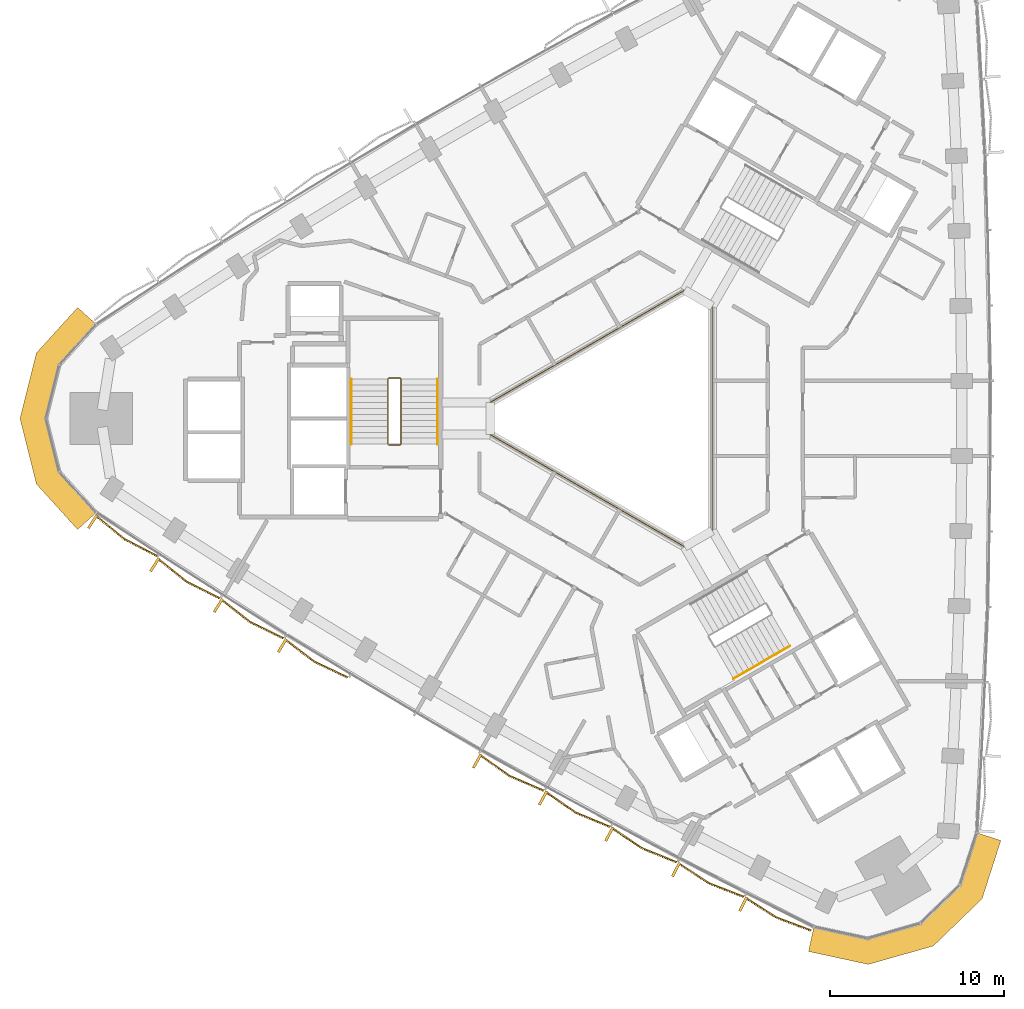
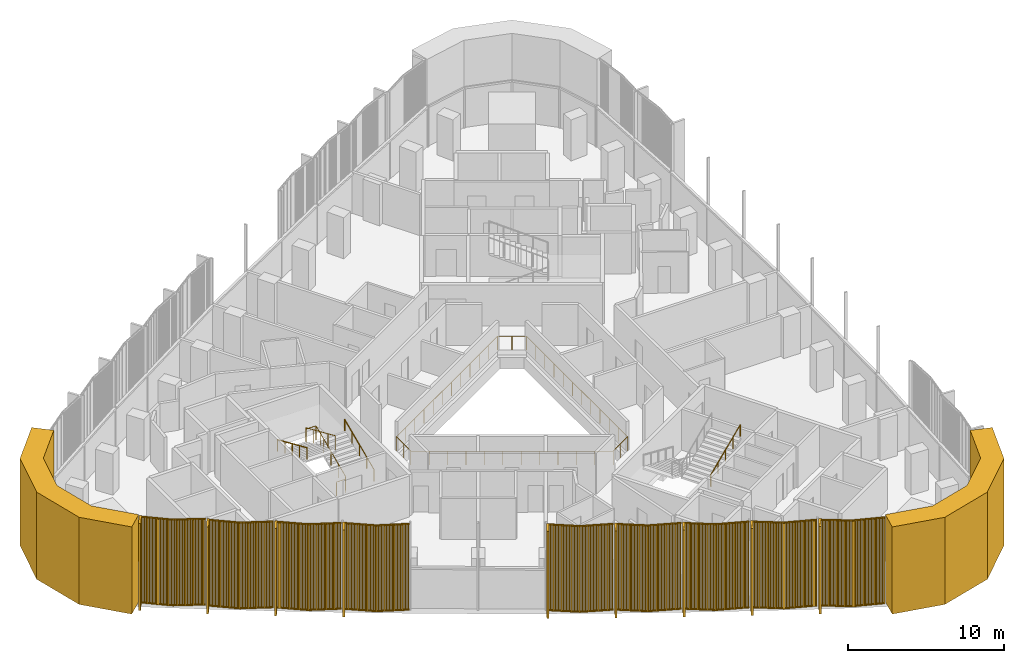
# One storey, part 13 of 15: 11 coverings, 5 railings.
"""IFC4 building model written with IfcOpenShell, lengths in metres."""

from ifc_helpers import new_model, si_unit, direction, frame, frame_2d, origin, origin_2d, place, context, subcontext, project, spatial, polyline, rectangle, circle, outline, extrude, source, transform, mapped, material, layer, layer_set, type_object, element, save


model = new_model("IFC4")

# Units and contexts
model_context = context("Model", 3, precision=1e-05, world=origin(), true_north=direction((0.0, 1.0)))
body_context = subcontext(model_context, "Body", "Model", "MODEL_VIEW")
ifc_project = project(units=[si_unit("LENGTHUNIT", "METRE"), si_unit("AREAUNIT", "SQUARE_METRE"), si_unit("VOLUMEUNIT", "CUBIC_METRE"), si_unit("PLANEANGLEUNIT", "RADIAN"), si_unit("MASSUNIT", "GRAM", prefix="KILO")], contexts=[model_context])

# Site, building, storey
site_placement = place(None, origin())
site = spatial("IfcSite", under=ifc_project, at=site_placement, CompositionType="ELEMENT")
building_placement = place(site_placement, origin())
building = spatial("IfcBuilding", under=site, at=building_placement, Name="Tamra Quay Hotel Tower", CompositionType="ELEMENT")
storey_placement = place(building_placement, frame((0.0, 0.0, 157.60009765625)))
storey = spatial("IfcBuildingStorey", under=building, at=storey_placement, Name="L39", CompositionType="ELEMENT", Elevation=157.60009765625)

# Coverings
ifc_material_1 = material(Name="Precast concrete M60 terracotta-coloured", Category="masonry")
ifc_layer = layer(ifc_material_1, 1.449951171875)
ifc_layer_set = layer_set([ifc_layer], Name="CORNER PIER PANEL")
covering_type_1 = type_object("IfcCoveringType", Name="CORNER PIER PANEL", PredefinedType="CLADDING", material=ifc_layer_set)
covering_1_placement = place(storey_placement, origin())
element("IfcCovering", 1, at=covering_1_placement, inside=storey, type_object=covering_type_1, Name="Corner pier L39.north-west", PredefinedType="CLADDING", context=body_context, shape_type="SweptSolid", body=[
    extrude(outline(polyline([(-30.688720703125, 5.42431640625), (-31.76318359375, 6.398193359375), (-34.13623046875, 3.780029296875), (-35.0830078125, 0.0), (-34.13623046875, -3.780029296875), (-31.76318359375, -6.398193359375), (-30.688720703125, -5.42431640625), (-32.81787109375, -3.0751953125), (-33.588134765625, 0.0), (-32.81787109375, 3.0751953125), (-30.688720703125, 5.42431640625)])), origin(), (0.0, 0.0, 1.0), 6.7998046875),
])
covering_2_placement = place(storey_placement, origin())
element("IfcCovering", 2, at=covering_2_placement, inside=storey, type_object=covering_type_1, Name="Corner pier L39.south-west", PredefinedType="CLADDING", context=body_context, shape_type="SweptSolid", body=[
    extrude(outline(polyline([(10.646728515625, -29.28955078125), (10.340576171875, -30.706787109375), (13.79443359375, -31.452880859375), (17.54150390625, -30.3828125), (20.341552734375, -27.6728515625), (21.422607421875, -24.30859375), (20.0419921875, -23.864990234375), (19.072265625, -26.883544921875), (16.794189453125, -29.088134765625), (13.74560546875, -29.958740234375), (10.646728515625, -29.28955078125)])), origin(), (0.0, 0.0, 1.0), 6.7998046875),
])

# Railings
ifc_material_2 = material(Name="Guard atrium edge 1100")
railing_type_1 = type_object("IfcRailingType", Name="Guard atrium edge 1100", PredefinedType="GUARDRAIL", material=ifc_material_2)
railing_1_placement = place(storey_placement, frame((4.800048828125, -6.466064453125, 0.0)))
element("IfcRailing", 3, at=railing_1_placement, inside=storey, type_object=railing_type_1, Name="G-A", PredefinedType="GUARDRAIL", context=body_context, shape_type="SweptSolid", body=[
    extrude(circle(Radius=0.02392578125, at=origin_2d()), frame((0.0, 0.0, 1.076171875), z_axis=(-0.86602275259, -0.500004591975, 0.0), x_axis=(0.500004591975, -0.86602275259, 0.0)), (0.0, 0.0, 1.0), 1.84765625),
    extrude(circle(Radius=0.02392578125, at=origin_2d()), frame((-1.60009765625, -0.923828125, 1.076171875), z_axis=(-0.86604129137, 0.499972480886, 0.0), x_axis=(-0.499972480886, -0.86604129137, 0.0)), (0.0, 0.0, 1.0), 12.932373046875),
    extrude(circle(Radius=0.02392578125, at=origin_2d()), frame((-12.800048828125, 5.5419921875, 1.076171875), z_axis=(0.0, 1.0, 0.0), x_axis=(-1.0, 0.0, 0.0)), (0.0, 0.0, 1.0), 1.84814453125),
    extrude(circle(Radius=0.02392578125, at=origin_2d()), frame((-12.800048828125, 7.39013671875, 1.076171875), z_axis=(0.86604129137, 0.499972480886, 0.0), x_axis=(-0.499972480886, 0.86604129137, 0.0)), (0.0, 0.0, 1.0), 12.932373046875),
    extrude(circle(Radius=0.02392578125, at=origin_2d()), frame((-1.60009765625, 13.85595703125, 1.076171875), z_axis=(0.86602275259, -0.500004591975, 0.0), x_axis=(0.500004591975, 0.86602275259, 0.0)), (0.0, 0.0, 1.0), 1.84765625),
    extrude(circle(Radius=0.02392578125, at=origin_2d()), frame((0.0, 12.93212890625, 1.076171875), z_axis=(0.0, -1.0, 0.0), x_axis=(1.0, 0.0, 0.0)), (0.0, 0.0, 1.0), 12.93212890625),
    extrude(circle(Radius=0.02099609375, at=origin_2d()), origin(), (0.0, 0.0, 1.0), 1.052001953125),
    extrude(circle(Radius=0.02099609375, at=origin_2d()), frame((-0.800048828125, -0.4619140625, 0.0)), (0.0, 0.0, 1.0), 1.052001953125),
    extrude(circle(Radius=0.02099609375, at=origin_2d()), frame((-1.60009765625, -0.923828125, 0.0)), (0.0, 0.0, 1.0), 1.052001953125),
    extrude(circle(Radius=0.02099609375, at=origin_2d()), frame((-2.6181640625, -0.3359375, 0.0)), (0.0, 0.0, 1.0), 1.052001953125),
    extrude(circle(Radius=0.02099609375, at=origin_2d()), frame((-3.636474609375, 0.251708984375, 0.0)), (0.0, 0.0, 1.0), 1.052001953125),
    extrude(circle(Radius=0.02099609375, at=origin_2d()), frame((-4.654541015625, 0.839599609375, 0.0)), (0.0, 0.0, 1.0), 1.052001953125),
    extrude(circle(Radius=0.02099609375, at=origin_2d()), frame((-5.6728515625, 1.427490234375, 0.0)), (0.0, 0.0, 1.0), 1.052001953125),
    extrude(circle(Radius=0.02099609375, at=origin_2d()), frame((-6.69091796875, 2.01513671875, 0.0)), (0.0, 0.0, 1.0), 1.052001953125),
    extrude(circle(Radius=0.02099609375, at=origin_2d()), frame((-7.709228515625, 2.60302734375, 0.0)), (0.0, 0.0, 1.0), 1.052001953125),
    extrude(circle(Radius=0.02099609375, at=origin_2d()), frame((-8.727294921875, 3.190673828125, 0.0)), (0.0, 0.0, 1.0), 1.052001953125),
    extrude(circle(Radius=0.02099609375, at=origin_2d()), frame((-9.74560546875, 3.778564453125, 0.0)), (0.0, 0.0, 1.0), 1.052001953125),
    extrude(circle(Radius=0.02099609375, at=origin_2d()), frame((-10.763671875, 4.366455078125, 0.0)), (0.0, 0.0, 1.0), 1.052001953125),
    extrude(circle(Radius=0.02099609375, at=origin_2d()), frame((-11.781982421875, 4.9541015625, 0.0)), (0.0, 0.0, 1.0), 1.052001953125),
    extrude(circle(Radius=0.02099609375, at=origin_2d()), frame((-12.800048828125, 5.5419921875, 0.0)), (0.0, 0.0, 1.0), 1.052001953125),
    extrude(circle(Radius=0.02099609375, at=origin_2d()), frame((-12.800048828125, 6.466064453125, 0.0)), (0.0, 0.0, 1.0), 1.052001953125),
    extrude(circle(Radius=0.02099609375, at=origin_2d()), frame((-12.800048828125, 7.39013671875, 0.0)), (0.0, 0.0, 1.0), 1.052001953125),
    extrude(circle(Radius=0.02099609375, at=origin_2d()), frame((-11.781982421875, 7.97802734375, 0.0)), (0.0, 0.0, 1.0), 1.052001953125),
    extrude(circle(Radius=0.02099609375, at=origin_2d()), frame((-10.763671875, 8.565673828125, 0.0)), (0.0, 0.0, 1.0), 1.052001953125),
    extrude(circle(Radius=0.02099609375, at=origin_2d()), frame((-9.74560546875, 9.153564453125, 0.0)), (0.0, 0.0, 1.0), 1.052001953125),
    extrude(circle(Radius=0.02099609375, at=origin_2d()), frame((-8.727294921875, 9.741455078125, 0.0)), (0.0, 0.0, 1.0), 1.052001953125),
    extrude(circle(Radius=0.02099609375, at=origin_2d()), frame((-7.709228515625, 10.3291015625, 0.0)), (0.0, 0.0, 1.0), 1.052001953125),
    extrude(circle(Radius=0.02099609375, at=origin_2d()), frame((-6.69091796875, 10.9169921875, 0.0)), (0.0, 0.0, 1.0), 1.052001953125),
    extrude(circle(Radius=0.02099609375, at=origin_2d()), frame((-5.6728515625, 11.504638671875, 0.0)), (0.0, 0.0, 1.0), 1.052001953125),
    extrude(circle(Radius=0.02099609375, at=origin_2d()), frame((-4.654541015625, 12.092529296875, 0.0)), (0.0, 0.0, 1.0), 1.052001953125),
    extrude(circle(Radius=0.02099609375, at=origin_2d()), frame((-3.636474609375, 12.680419921875, 0.0)), (0.0, 0.0, 1.0), 1.052001953125),
    extrude(circle(Radius=0.02099609375, at=origin_2d()), frame((-2.6181640625, 13.26806640625, 0.0)), (0.0, 0.0, 1.0), 1.052001953125),
    extrude(circle(Radius=0.02099609375, at=origin_2d()), frame((-1.60009765625, 13.85595703125, 0.0)), (0.0, 0.0, 1.0), 1.052001953125),
    extrude(circle(Radius=0.02099609375, at=origin_2d()), frame((-0.800048828125, 13.39404296875, 0.0)), (0.0, 0.0, 1.0), 1.052001953125),
    extrude(circle(Radius=0.02099609375, at=origin_2d()), frame((0.0, 12.93212890625, 0.0)), (0.0, 0.0, 1.0), 1.052001953125),
    extrude(circle(Radius=0.02099609375, at=origin_2d()), frame((0.0, 11.756591796875, 0.0)), (0.0, 0.0, 1.0), 1.052001953125),
    extrude(circle(Radius=0.02099609375, at=origin_2d()), frame((0.0, 10.580810546875, 0.0)), (0.0, 0.0, 1.0), 1.052001953125),
    extrude(circle(Radius=0.02099609375, at=origin_2d()), frame((0.0, 9.4052734375, 0.0)), (0.0, 0.0, 1.0), 1.052001953125),
    extrude(circle(Radius=0.02099609375, at=origin_2d()), frame((0.0, 8.2294921875, 0.0)), (0.0, 0.0, 1.0), 1.052001953125),
    extrude(circle(Radius=0.02099609375, at=origin_2d()), frame((0.0, 7.053955078125, 0.0)), (0.0, 0.0, 1.0), 1.052001953125),
    extrude(circle(Radius=0.02099609375, at=origin_2d()), frame((0.0, 5.878173828125, 0.0)), (0.0, 0.0, 1.0), 1.052001953125),
    extrude(circle(Radius=0.02099609375, at=origin_2d()), frame((0.0, 4.70263671875, 0.0)), (0.0, 0.0, 1.0), 1.052001953125),
    extrude(circle(Radius=0.02099609375, at=origin_2d()), frame((0.0, 3.52685546875, 0.0)), (0.0, 0.0, 1.0), 1.052001953125),
    extrude(circle(Radius=0.02099609375, at=origin_2d()), frame((0.0, 2.351318359375, 0.0)), (0.0, 0.0, 1.0), 1.052001953125),
    extrude(circle(Radius=0.02099609375, at=origin_2d()), frame((0.0, 1.175537109375, 0.0)), (0.0, 0.0, 1.0), 1.052001953125),
])
ifc_material_3 = material(Name="Stair guard 1100")
railing_type_2 = type_object("IfcRailingType", Name="Stair guard 1100", PredefinedType="GUARDRAIL", material=ifc_material_3)
railing_2_placement = place(storey_placement, frame((-13.84130859375, -1.530029296875, 0.0)))
element("IfcRailing", 4, at=railing_2_placement, inside=storey, type_object=railing_type_2, Name="GR", PredefinedType="GUARDRAIL", context=body_context, shape_type="SweptSolid", body=[
    extrude(circle(Radius=0.02392578125, at=origin_2d()), frame((0.0, 0.0, 1.076171875), z_axis=(1.0, 0.0, 0.0), x_axis=(0.0, 1.0, 0.0)), (0.0, 0.0, 1.0), 0.658935546875),
    extrude(circle(Radius=0.02392578125, at=origin_2d()), frame((0.658935546875, 0.0, 1.076171875), z_axis=(0.301912943143, 0.301912943143, 0.904266083366), x_axis=(-0.707106781187, 0.707106781187, 0.0)), (0.0, 0.0, 1.0), 0.165771484375),
    extrude(circle(Radius=0.02392578125, at=origin_2d()), frame((0.708984375, 0.050048828125, 1.22607421875), z_axis=(0.0, 0.915795495799, 0.401644880304), x_axis=(-1.0, 0.0, 0.0)), (0.0, 0.0, 1.0), 4.10791015625),
    extrude(circle(Radius=0.02392578125, at=origin_2d()), frame((0.708984375, 3.81201171875, 2.8759765625), z_axis=(-0.708833529934, 0.705375805398, 0.0), x_axis=(-0.705375805398, -0.708833529934, 0.0)), (0.0, 0.0, 1.0), 0.070556640625),
    extrude(circle(Radius=0.02392578125, at=origin_2d()), frame((0.658935546875, 3.86181640625, 2.8759765625), z_axis=(-1.0, 0.0, 0.0), x_axis=(0.0, -1.0, 0.0)), (0.0, 0.0, 1.0), 0.658935546875),
    extrude(circle(Radius=0.02392578125, at=origin_2d()), frame((0.0, 3.86181640625, 2.8759765625), z_axis=(-0.301644814947, -0.300173376825, 0.904934444842), x_axis=(0.705375805398, -0.708833529934, 0.0)), (0.0, 0.0, 1.0), 0.166015625),
    extrude(circle(Radius=0.02392578125, at=origin_2d()), frame((-0.050048828125, 3.81201171875, 3.02587890625), z_axis=(0.0, -0.915795495799, 0.401644880304), x_axis=(1.0, 0.0, 0.0)), (0.0, 0.0, 1.0), 4.10791015625),
    extrude(circle(Radius=0.02099609375, at=origin_2d()), origin(), (0.0, 0.0, 1.0), 1.052001953125),
    extrude(circle(Radius=0.02099609375, at=origin_2d()), frame((0.658935546875, 0.0, 0.0)), (0.0, 0.0, 1.0), 1.052001953125),
    extrude(circle(Radius=0.02099609375, at=origin_2d()), frame((0.708984375, 0.050048828125, 0.14990234375)), (0.0, 0.0, 1.0), 1.052001953125),
    extrude(circle(Radius=0.02099609375, at=origin_2d()), frame((0.708984375, 0.990478515625, 0.5625)), (0.0, 0.0, 1.0), 1.052001953125),
    extrude(circle(Radius=0.02099609375, at=origin_2d()), frame((0.708984375, 1.93115234375, 0.974853515625)), (0.0, 0.0, 1.0), 1.052001953125),
    extrude(circle(Radius=0.02099609375, at=origin_2d()), frame((0.708984375, 2.87158203125, 1.38720703125)), (0.0, 0.0, 1.0), 1.052001953125),
    extrude(circle(Radius=0.02099609375, at=origin_2d()), frame((0.708984375, 3.81201171875, 1.7998046875)), (0.0, 0.0, 1.0), 1.052001953125),
    extrude(circle(Radius=0.02099609375, at=origin_2d()), frame((0.658935546875, 3.86181640625, 1.7998046875)), (0.0, 0.0, 1.0), 1.052001953125),
    extrude(circle(Radius=0.02099609375, at=origin_2d()), frame((0.0, 3.86181640625, 1.7998046875)), (0.0, 0.0, 1.0), 1.052001953125),
    extrude(circle(Radius=0.02099609375, at=origin_2d()), frame((-0.050048828125, 3.81201171875, 1.949951171875)), (0.0, 0.0, 1.0), 1.052001953125),
    extrude(circle(Radius=0.02099609375, at=origin_2d()), frame((-0.050048828125, 2.87158203125, 2.3623046875)), (0.0, 0.0, 1.0), 1.052001953125),
    extrude(circle(Radius=0.02099609375, at=origin_2d()), frame((-0.050048828125, 1.93115234375, 2.77490234375)), (0.0, 0.0, 1.0), 1.052001953125),
    extrude(circle(Radius=0.02099609375, at=origin_2d()), frame((-0.050048828125, 0.990478515625, 3.1875)), (0.0, 0.0, 1.0), 1.052001953125),
    extrude(circle(Radius=0.02099609375, at=origin_2d()), frame((-0.050048828125, 0.050048828125, 3.599853515625)), (0.0, 0.0, 1.0), 1.052001953125),
])
ifc_material_4 = material(Name="Stair handrail 900")
railing_type_3 = type_object("IfcRailingType", Name="Stair handrail 900", PredefinedType="HANDRAIL", material=ifc_material_4)
railing_3_placement = place(storey_placement, frame((-11.0322265625, -1.47998046875, 0.14990234375)))
element("IfcRailing", 5, at=railing_3_placement, inside=storey, type_object=railing_type_3, Name="HR", PredefinedType="HANDRAIL", context=body_context, shape_type="SweptSolid", body=[
    extrude(circle(Radius=0.02392578125, at=origin_2d()), frame((0.0, 0.0, 0.8759765625), z_axis=(0.0, 0.915795495799, 0.401644880304), x_axis=(-1.0, 0.0, 0.0)), (0.0, 0.0, 1.0), 4.10791015625),
    extrude(circle(Radius=0.02099609375, at=origin_2d()), origin(), (0.0, 0.0, 1.0), 0.851806640625),
    extrude(circle(Radius=0.02099609375, at=origin_2d()), frame((0.0, 0.9404296875, 0.41259765625)), (0.0, 0.0, 1.0), 0.851806640625),
    extrude(circle(Radius=0.02099609375, at=origin_2d()), frame((0.0, 1.880859375, 0.824951171875)), (0.0, 0.0, 1.0), 0.851806640625),
    extrude(circle(Radius=0.02099609375, at=origin_2d()), frame((0.0, 2.821533203125, 1.2373046875)), (0.0, 0.0, 1.0), 0.851806640625),
    extrude(circle(Radius=0.02099609375, at=origin_2d()), frame((0.0, 3.761962890625, 1.64990234375)), (0.0, 0.0, 1.0), 0.851806640625),
])
railing_4_placement = place(storey_placement, frame((-15.9912109375, 2.281982421875, 1.949951171875)))
element("IfcRailing", 6, at=railing_4_placement, inside=storey, type_object=railing_type_3, Name="HR", PredefinedType="HANDRAIL", context=body_context, shape_type="SweptSolid", body=[
    extrude(circle(Radius=0.02392578125, at=origin_2d()), frame((0.0, 0.0, 0.8759765625), z_axis=(0.0, -0.915795495799, 0.401644880304), x_axis=(1.0, 0.0, 0.0)), (0.0, 0.0, 1.0), 4.10791015625),
    extrude(circle(Radius=0.02099609375, at=origin_2d()), origin(), (0.0, 0.0, 1.0), 0.851806640625),
    extrude(circle(Radius=0.02099609375, at=origin_2d()), frame((0.0, -0.9404296875, 0.41259765625)), (0.0, 0.0, 1.0), 0.851806640625),
    extrude(circle(Radius=0.02099609375, at=origin_2d()), frame((0.0, -1.880859375, 0.824951171875)), (0.0, 0.0, 1.0), 0.851806640625),
    extrude(circle(Radius=0.02099609375, at=origin_2d()), frame((0.0, -2.821533203125, 1.2373046875)), (0.0, 0.0, 1.0), 0.851806640625),
    extrude(circle(Radius=0.02099609375, at=origin_2d()), frame((0.0, -3.761962890625, 1.64990234375)), (0.0, 0.0, 1.0), 0.851806640625),
])
railing_5_placement = place(storey_placement, frame((6.01953125, -14.98974609375, 1.949951171875)))
element("IfcRailing", 7, at=railing_5_placement, inside=storey, type_object=railing_type_3, Name="HR", PredefinedType="HANDRAIL", context=body_context, shape_type="SweptSolid", body=[
    extrude(circle(Radius=0.02392578125, at=origin_2d()), frame((0.0, 0.0, 0.8759765625), z_axis=(0.79310004713, 0.457886897714, 0.401661429744), x_axis=(-0.499992114976, 0.866029956157, 0.0)), (0.0, 0.0, 1.0), 4.107666015625),
    extrude(circle(Radius=0.02099609375, at=origin_2d()), origin(), (0.0, 0.0, 1.0), 0.851806640625),
    extrude(circle(Radius=0.02099609375, at=origin_2d()), frame((0.814453125, 0.47021484375, 0.41259765625)), (0.0, 0.0, 1.0), 0.851806640625),
    extrude(circle(Radius=0.02099609375, at=origin_2d()), frame((1.62890625, 0.9404296875, 0.824951171875)), (0.0, 0.0, 1.0), 0.851806640625),
    extrude(circle(Radius=0.02099609375, at=origin_2d()), frame((2.443359375, 1.41064453125, 1.2373046875)), (0.0, 0.0, 1.0), 0.851806640625),
    extrude(circle(Radius=0.02099609375, at=origin_2d()), frame((3.2578125, 1.880859375, 1.64990234375)), (0.0, 0.0, 1.0), 0.851806640625),
])

# Coverings
ifc_material_5 = material(Name="Terracotta baguette extruded", Category="masonry")
covering_type_2 = type_object("IfcCoveringType", Name="BAGUETTE SCREEN SW-V H6800", PredefinedType="USERDEFINED", material=ifc_material_5)
shared_shape = source(origin(), body_context, "Body", "SweptSolid", [
    extrude(rectangle(XDim=2.144287109375, YDim=0.06005859375, at=frame_2d((1.072265625, 0.030029296875))), frame((-2.138671875, -0.0576171875, -0.1201171875), z_axis=(0.0, 0.0, 1.0), x_axis=(0.994521895368, -0.104528463268, 0.0)), (0.0, 0.0, 1.0), 0.1201171875),
    extrude(rectangle(XDim=2.144287109375, YDim=0.06005859375, at=frame_2d((1.072265625, 0.030029296875))), frame((-2.138671875, -0.0576171875, -6.800048828125), z_axis=(0.0, 0.0, 1.0), x_axis=(0.994521895368, -0.104528463268, 0.0)), (0.0, 0.0, 1.0), 0.1201171875),
    extrude(rectangle(XDim=0.070068359375, YDim=0.10009765625, at=frame_2d((0.03515625, 0.050048828125))), frame((-2.11669921875, -0.13330078125, -6.739990234375)), (0.0, 0.0, 1.0), 6.679931640625),
    extrude(rectangle(XDim=0.070068359375, YDim=0.10009765625, at=frame_2d((0.03515625, 0.050048828125))), frame((-2.01513671875, -0.14404296875, -6.739990234375)), (0.0, 0.0, 1.0), 6.679931640625),
    extrude(rectangle(XDim=0.070068359375, YDim=0.10009765625, at=frame_2d((0.03515625, 0.050048828125))), frame((-1.91357421875, -0.15478515625, -6.739990234375)), (0.0, 0.0, 1.0), 6.679931640625),
    extrude(rectangle(XDim=0.070068359375, YDim=0.10009765625, at=frame_2d((0.03515625, 0.050048828125))), frame((-1.81201171875, -0.165283203125, -6.739990234375)), (0.0, 0.0, 1.0), 6.679931640625),
    extrude(rectangle(XDim=0.070068359375, YDim=0.10009765625, at=frame_2d((0.03515625, 0.050048828125))), frame((-1.71044921875, -0.176025390625, -6.739990234375)), (0.0, 0.0, 1.0), 6.679931640625),
    extrude(rectangle(XDim=0.070068359375, YDim=0.10009765625, at=frame_2d((0.03515625, 0.050048828125))), frame((-1.60888671875, -0.186767578125, -6.739990234375)), (0.0, 0.0, 1.0), 6.679931640625),
    extrude(rectangle(XDim=0.070068359375, YDim=0.10009765625, at=frame_2d((0.03515625, 0.050048828125))), frame((-1.50732421875, -0.197265625, -6.739990234375)), (0.0, 0.0, 1.0), 6.679931640625),
    extrude(rectangle(XDim=0.070068359375, YDim=0.10009765625, at=frame_2d((0.03515625, 0.050048828125))), frame((-1.406005859375, -0.2080078125, -6.739990234375)), (0.0, 0.0, 1.0), 6.679931640625),
    extrude(rectangle(XDim=0.070068359375, YDim=0.10009765625, at=frame_2d((0.03515625, 0.050048828125))), frame((-1.304443359375, -0.21875, -6.739990234375)), (0.0, 0.0, 1.0), 6.679931640625),
    extrude(rectangle(XDim=0.070068359375, YDim=0.10009765625, at=frame_2d((0.03515625, 0.050048828125))), frame((-1.202880859375, -0.2294921875, -6.739990234375)), (0.0, 0.0, 1.0), 6.679931640625),
    extrude(rectangle(XDim=0.070068359375, YDim=0.10009765625, at=frame_2d((0.03515625, 0.050048828125))), frame((-1.101318359375, -0.239990234375, -6.739990234375)), (0.0, 0.0, 1.0), 6.679931640625),
    extrude(rectangle(XDim=0.070068359375, YDim=0.10009765625, at=frame_2d((0.03515625, 0.050048828125))), frame((-0.999755859375, -0.250732421875, -6.739990234375)), (0.0, 0.0, 1.0), 6.679931640625),
    extrude(rectangle(XDim=0.070068359375, YDim=0.10009765625, at=frame_2d((0.03515625, 0.050048828125))), frame((-0.898193359375, -0.261474609375, -6.739990234375)), (0.0, 0.0, 1.0), 6.679931640625),
    extrude(rectangle(XDim=0.070068359375, YDim=0.10009765625, at=frame_2d((0.03515625, 0.050048828125))), frame((-0.796630859375, -0.27197265625, -6.739990234375)), (0.0, 0.0, 1.0), 6.679931640625),
    extrude(rectangle(XDim=0.070068359375, YDim=0.10009765625, at=frame_2d((0.03515625, 0.050048828125))), frame((-0.695068359375, -0.28271484375, -6.739990234375)), (0.0, 0.0, 1.0), 6.679931640625),
    extrude(rectangle(XDim=0.070068359375, YDim=0.10009765625, at=frame_2d((0.03515625, 0.050048828125))), frame((-0.593505859375, -0.29345703125, -6.739990234375)), (0.0, 0.0, 1.0), 6.679931640625),
    extrude(rectangle(XDim=0.070068359375, YDim=0.10009765625, at=frame_2d((0.03515625, 0.050048828125))), frame((-0.491943359375, -0.30419921875, -6.739990234375)), (0.0, 0.0, 1.0), 6.679931640625),
    extrude(rectangle(XDim=0.070068359375, YDim=0.10009765625, at=frame_2d((0.03515625, 0.050048828125))), frame((-0.390380859375, -0.314697265625, -6.739990234375)), (0.0, 0.0, 1.0), 6.679931640625),
    extrude(rectangle(XDim=0.070068359375, YDim=0.10009765625, at=frame_2d((0.03515625, 0.050048828125))), frame((-0.288818359375, -0.325439453125, -6.739990234375)), (0.0, 0.0, 1.0), 6.679931640625),
    extrude(rectangle(XDim=0.070068359375, YDim=0.10009765625, at=frame_2d((0.03515625, 0.050048828125))), frame((-0.187255859375, -0.336181640625, -6.739990234375)), (0.0, 0.0, 1.0), 6.679931640625),
    extrude(rectangle(XDim=0.070068359375, YDim=0.10009765625, at=frame_2d((0.03515625, 0.050048828125))), frame((-0.085693359375, -0.3466796875, -6.739990234375)), (0.0, 0.0, 1.0), 6.679931640625),
    extrude(rectangle(XDim=2.144287109375, YDim=0.06005859375, at=frame_2d((1.072265625, 0.030029296875))), frame((0.00634765625, -0.28173828125, -0.1201171875), z_axis=(0.0, 0.0, 1.0), x_axis=(0.994521895368, 0.104528463268, 0.0)), (0.0, 0.0, 1.0), 0.1201171875),
    extrude(rectangle(XDim=2.144287109375, YDim=0.06005859375, at=frame_2d((1.072265625, 0.030029296875))), frame((0.00634765625, -0.28173828125, -6.800048828125), z_axis=(0.0, 0.0, 1.0), x_axis=(0.994521895368, 0.104528463268, 0.0)), (0.0, 0.0, 1.0), 0.1201171875),
    extrude(rectangle(XDim=0.070068359375, YDim=0.10009765625, at=frame_2d((0.03515625, 0.050048828125))), frame((0.015869140625, -0.3466796875, -6.739990234375)), (0.0, 0.0, 1.0), 6.679931640625),
    extrude(rectangle(XDim=0.070068359375, YDim=0.10009765625, at=frame_2d((0.03515625, 0.050048828125))), frame((0.117431640625, -0.336181640625, -6.739990234375)), (0.0, 0.0, 1.0), 6.679931640625),
    extrude(rectangle(XDim=0.070068359375, YDim=0.10009765625, at=frame_2d((0.03515625, 0.050048828125))), frame((0.21875, -0.325439453125, -6.739990234375)), (0.0, 0.0, 1.0), 6.679931640625),
    extrude(rectangle(XDim=0.070068359375, YDim=0.10009765625, at=frame_2d((0.03515625, 0.050048828125))), frame((0.3203125, -0.314697265625, -6.739990234375)), (0.0, 0.0, 1.0), 6.679931640625),
    extrude(rectangle(XDim=0.070068359375, YDim=0.10009765625, at=frame_2d((0.03515625, 0.050048828125))), frame((0.421875, -0.30419921875, -6.739990234375)), (0.0, 0.0, 1.0), 6.679931640625),
    extrude(rectangle(XDim=0.070068359375, YDim=0.10009765625, at=frame_2d((0.03515625, 0.050048828125))), frame((0.5234375, -0.29345703125, -6.739990234375)), (0.0, 0.0, 1.0), 6.679931640625),
    extrude(rectangle(XDim=0.070068359375, YDim=0.10009765625, at=frame_2d((0.03515625, 0.050048828125))), frame((0.625, -0.28271484375, -6.739990234375)), (0.0, 0.0, 1.0), 6.679931640625),
    extrude(rectangle(XDim=0.070068359375, YDim=0.10009765625, at=frame_2d((0.03515625, 0.050048828125))), frame((0.7265625, -0.27197265625, -6.739990234375)), (0.0, 0.0, 1.0), 6.679931640625),
    extrude(rectangle(XDim=0.070068359375, YDim=0.10009765625, at=frame_2d((0.03515625, 0.050048828125))), frame((0.828125, -0.261474609375, -6.739990234375)), (0.0, 0.0, 1.0), 6.679931640625),
    extrude(rectangle(XDim=0.070068359375, YDim=0.10009765625, at=frame_2d((0.03515625, 0.050048828125))), frame((0.9296875, -0.250732421875, -6.739990234375)), (0.0, 0.0, 1.0), 6.679931640625),
    extrude(rectangle(XDim=0.070068359375, YDim=0.10009765625, at=frame_2d((0.03515625, 0.050048828125))), frame((1.03125, -0.239990234375, -6.739990234375)), (0.0, 0.0, 1.0), 6.679931640625),
    extrude(rectangle(XDim=0.070068359375, YDim=0.10009765625, at=frame_2d((0.03515625, 0.050048828125))), frame((1.1328125, -0.2294921875, -6.739990234375)), (0.0, 0.0, 1.0), 6.679931640625),
    extrude(rectangle(XDim=0.070068359375, YDim=0.10009765625, at=frame_2d((0.03515625, 0.050048828125))), frame((1.234375, -0.21875, -6.739990234375)), (0.0, 0.0, 1.0), 6.679931640625),
    extrude(rectangle(XDim=0.070068359375, YDim=0.10009765625, at=frame_2d((0.03515625, 0.050048828125))), frame((1.3359375, -0.2080078125, -6.739990234375)), (0.0, 0.0, 1.0), 6.679931640625),
    extrude(rectangle(XDim=0.070068359375, YDim=0.10009765625, at=frame_2d((0.03515625, 0.050048828125))), frame((1.4375, -0.197265625, -6.739990234375)), (0.0, 0.0, 1.0), 6.679931640625),
    extrude(rectangle(XDim=0.070068359375, YDim=0.10009765625, at=frame_2d((0.03515625, 0.050048828125))), frame((1.5390625, -0.186767578125, -6.739990234375)), (0.0, 0.0, 1.0), 6.679931640625),
    extrude(rectangle(XDim=0.070068359375, YDim=0.10009765625, at=frame_2d((0.03515625, 0.050048828125))), frame((1.640625, -0.176025390625, -6.739990234375)), (0.0, 0.0, 1.0), 6.679931640625),
    extrude(rectangle(XDim=0.070068359375, YDim=0.10009765625, at=frame_2d((0.03515625, 0.050048828125))), frame((1.7421875, -0.165283203125, -6.739990234375)), (0.0, 0.0, 1.0), 6.679931640625),
    extrude(rectangle(XDim=0.070068359375, YDim=0.10009765625, at=frame_2d((0.03515625, 0.050048828125))), frame((1.84375, -0.15478515625, -6.739990234375)), (0.0, 0.0, 1.0), 6.679931640625),
    extrude(rectangle(XDim=0.070068359375, YDim=0.10009765625, at=frame_2d((0.03515625, 0.050048828125))), frame((1.945068359375, -0.14404296875, -6.739990234375)), (0.0, 0.0, 1.0), 6.679931640625),
    extrude(rectangle(XDim=0.070068359375, YDim=0.10009765625, at=frame_2d((0.03515625, 0.050048828125))), frame((2.046630859375, -0.13330078125, -6.739990234375)), (0.0, 0.0, 1.0), 6.679931640625),
    extrude(rectangle(XDim=0.14990234375, YDim=0.902099609375, at=frame_2d((0.074951171875, 0.451171875))), frame((-2.132568359375, -0.89990234375, -6.800048828125)), (0.0, 0.0, 1.0), 6.800048828125),
])
for number, where, z_axis, x_axis, name in (
    (8, (-28.9306640625, -6.701904296875, 6.7998046875), (0.0, 0.0, 1.0), (0.834662779115, -0.550761332303, 0.0), "Baguette screen L39.SW.f00"),
    (9, (-25.345703125, -9.156494140625, 6.7998046875), (0.0, 0.0, 1.0), (0.841164110859, -0.540779935465, 0.0), "Baguette screen L39.SW.f01"),
    (10, (-21.67724609375, -11.48388671875, 6.7998046875), (0.0, 0.0, 1.0), (0.847546396231, -0.530721307501, 0.0), "Baguette screen L39.SW.f02"),
    (11, (-17.981201171875, -13.767822265625, 6.7998046875), (0.0, 0.0, 1.0), (0.853830014722, -0.520551924365, 0.0), "Baguette screen L39.SW.f03"),
    (12, (-6.733642578125, -20.3515625, 6.7998046875), (0.0, 0.0, 1.0), (0.871942006927, -0.489609167149, 0.0), "Baguette screen L39.SW.f06"),
    (13, (-2.932861328125, -22.4560546875, 6.7998046875), (0.0, 0.0, 1.0), (0.87772619785, -0.47916252108, 0.0), "Baguette screen L39.SW.f07"),
    (14, (0.893310546875, -24.51513671875, 6.7998046875), (0.0, 0.0, 1.0), (0.883391332741, -0.468636056272, 0.0), "Baguette screen L39.SW.f08"),
    (15, (4.7431640625, -26.528076171875, 6.7998046875), (0.0, 0.0, 1.0), (0.8889112174, -0.458079521023, 0.0), "Baguette screen L39.SW.f09"),
    (16, (8.616455078125, -28.4951171875, 6.7998046875), (0.0, 0.0, 1.0), (0.894304694754, -0.447458504155, 0.0), "Baguette screen L39.SW.f10"),
):
    element("IfcCovering", number, at=place(storey_placement, frame(where, z_axis=z_axis, x_axis=x_axis)), inside=storey, type_object=covering_type_2, Name=name, ObjectType="BAGUETTE SCREEN", PredefinedType="USERDEFINED", context=body_context, shape_type="MappedRepresentation", body=[
        mapped(shared_shape, transform((0.0, 0.0, 0.0), scale=1.0)),
    ])

save(model, "model.ifc")
